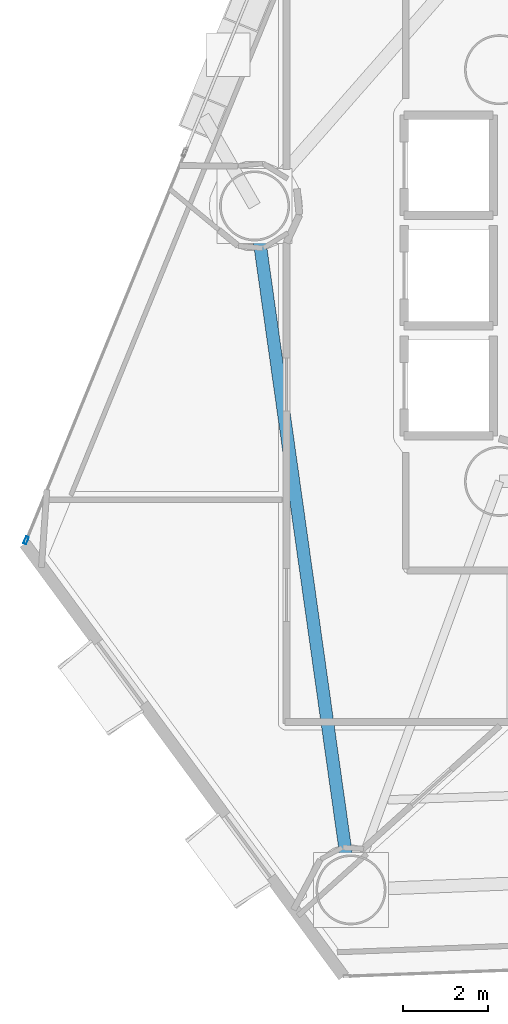
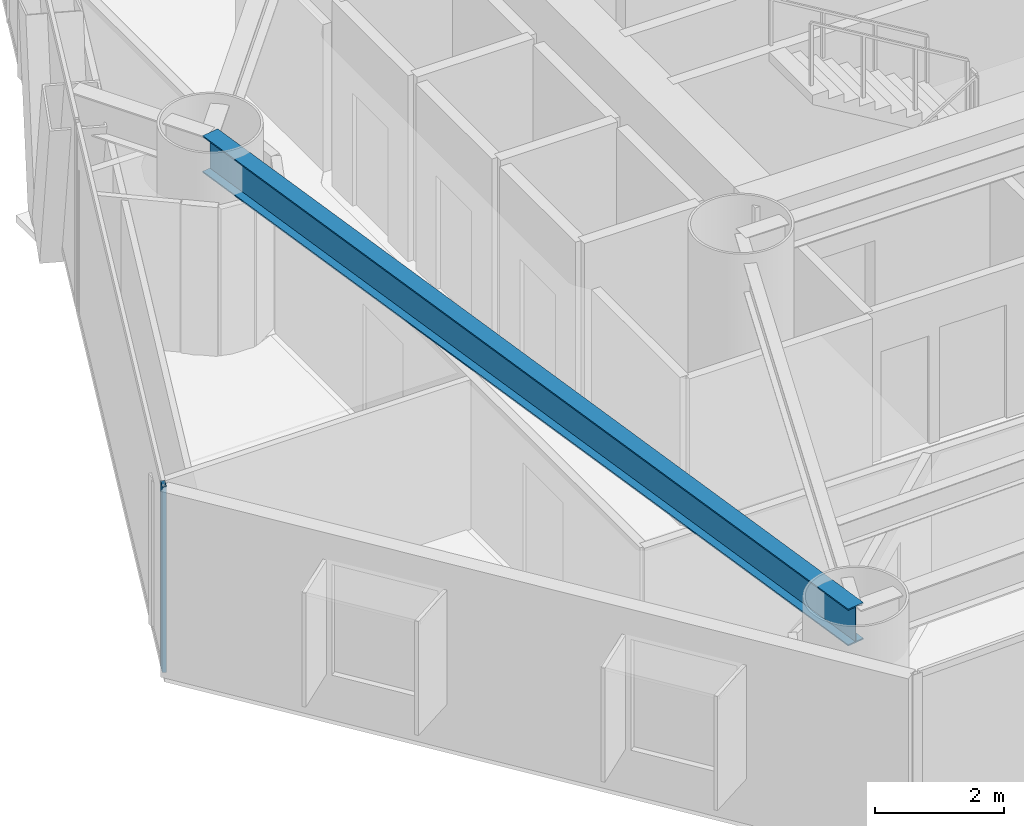
# One storey, part 4 of 23: 1 beam, 1 member, 1 element without a shape of its own.
"""IFC4 building model written with IfcOpenShell, lengths in metres."""

from ifc_helpers import new_model, si_unit, direction, frame, origin, origin_2d, place, context, subcontext, project, spatial, hollow_rectangle, i_section, extrude, material, layer, layer_set, material_profile, profile_set, type_object, element, aggregate, save


model = new_model("IFC4")

# Units and contexts
model_context = context("Model", 3, precision=1e-05, world=origin(), true_north=direction((0.0, 1.0)))
body_context = subcontext(model_context, "Body", "Model", "MODEL_VIEW")
ifc_project = project(units=[si_unit("LENGTHUNIT", "METRE"), si_unit("AREAUNIT", "SQUARE_METRE"), si_unit("VOLUMEUNIT", "CUBIC_METRE"), si_unit("PLANEANGLEUNIT", "RADIAN"), si_unit("MASSUNIT", "GRAM", prefix="KILO")], contexts=[model_context])

# Site, building, storey
site_placement = place(None, origin())
site = spatial("IfcSite", under=ifc_project, at=site_placement, CompositionType="ELEMENT")
building_placement = place(site_placement, origin())
building = spatial("IfcBuilding", under=site, at=building_placement, Name="Qianvela Tower", CompositionType="ELEMENT")
storey_placement = place(building_placement, frame((0.0, 0.0, 52.5)))
storey = spatial("IfcBuildingStorey", under=building, at=storey_placement, Name="L12", CompositionType="ELEMENT", Elevation=52.5)

# Beam
ifc_material_1 = material(Name="Steel Q355B", Category="steel")
ifc_material_profile_1 = material_profile(ifc_material_1, i_section(OverallWidth=0.300048828125, OverallDepth=0.699951171875, WebThickness=0.012939453125, FlangeThickness=0.02392578125, at=origin_2d()), Name="HN700x300x13x24")
ifc_profile_set_1 = profile_set([ifc_material_profile_1], Name="Steel Q355B")
beam_type = type_object("IfcBeamType", Name="BM-HN700-SPAND", PredefinedType="SPANDREL", material=ifc_profile_set_1)
beam_placement = place(storey_placement, frame((22.8291015625, 30.340087890625, 3.16796875), z_axis=(0.139545592864, -0.990215646974, 0.0), x_axis=(0.990215646974, 0.139545592864, 0.0)))
element("IfcBeam", 1, at=beam_placement, inside=storey, type_object=beam_type, Name="L12 Perimeter Ring Spandrel Girder 4", PredefinedType="SPANDREL", context=body_context, shape_type="SweptSolid", body=[
    extrude(i_section(OverallWidth=0.300048828125, OverallDepth=0.699951171875, WebThickness=0.012939453125, FlangeThickness=0.02392578125, at=origin_2d()), origin(), (0.0, 0.0, 1.0), 16.274169921875),
])

# Curtain wall, member
ifc_material_2 = material(Name="Anodised Architectural Aluminium and Low-E Glass", Category="aluminium")
ifc_layer = layer(ifc_material_2, 0.179931640625)
ifc_layer_set = layer_set([ifc_layer], Name="Anodised Architectural Aluminium and Low-E Glass")
curtain_wall_type = type_object("IfcCurtainWallType", Name="CW-COLIV-Z12", PredefinedType="USERDEFINED", material=ifc_layer_set)
curtain_wall_placement = place(storey_placement, origin())
curtain_wall = element("IfcCurtainWall", 2, at=curtain_wall_placement, inside=storey, type_object=curtain_wall_type, Name="L12 CW-COLIV-Z12 Curtain Wall 04C", ObjectType="CURTAIN_WALL_SYSTEM", PredefinedType="USERDEFINED")
ifc_material_3 = material(Name="Anodised Architectural Aluminium 6063-T6", Category="aluminium")
ifc_material_profile_2 = material_profile(ifc_material_3, hollow_rectangle(XDim=0.070068359375, YDim=0.179931640625, WallThickness=0.0048828125, at=origin_2d()), Name="ALU-MULL-70x180")
ifc_profile_set_2 = profile_set([ifc_material_profile_2], Name="Anodised Architectural Aluminium 6063-T6")
member_type = type_object("IfcMemberType", Name="CW-COLIV-Z12-MULL", PredefinedType="MULLION", material=ifc_profile_set_2)
member_placement = place(storey_placement, frame((17.446533203125, 22.462890625, 0.0), z_axis=(0.0, 0.0, 1.0), x_axis=(0.925603423285, -0.378494785701, 0.0)))
member = element("IfcMember", 3, at=member_placement, type_object=member_type, Name="CW-3 mullion 2", PredefinedType="MULLION", context=body_context, shape_type="SweptSolid", body=[
    extrude(hollow_rectangle(XDim=0.070068359375, YDim=0.179931640625, WallThickness=0.0048828125, at=origin_2d()), origin(), (0.0, 0.0, 1.0), 3.52001953125),
])
aggregate(curtain_wall, [member])

save(model, "model.ifc")
